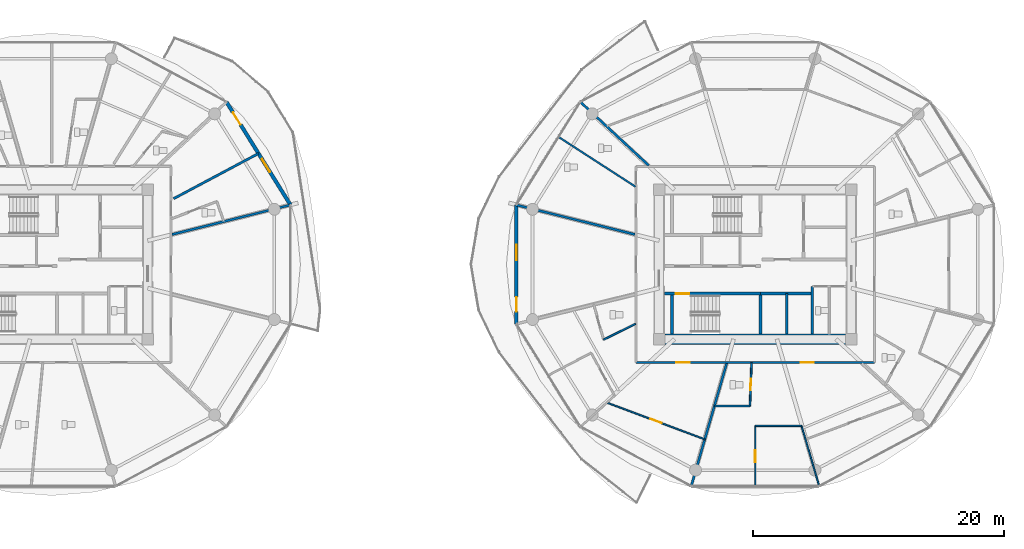
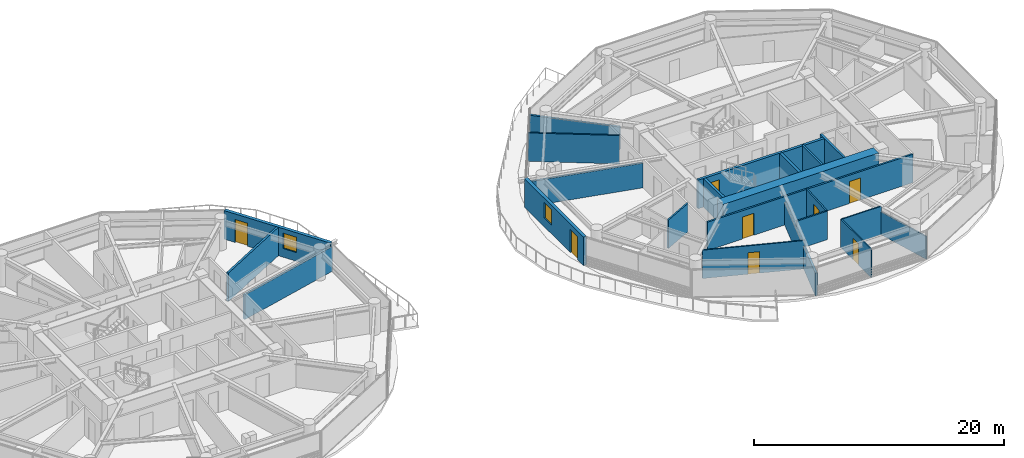
# One storey, part 18 of 26: 23 walls, 8 doors, 2 windows, 10 openings.
"""IFC4 building model written with IfcOpenShell, lengths in metres."""

from ifc_helpers import new_model, si_unit, direction, frame, frame_2d, origin, place, context, subcontext, project, spatial, rectangle, extrude, source, transform, mapped, material, layer, layer_set, type_object, type_shapes, element, fill, save


model = new_model("IFC4")

# Units and contexts
model_context = context("Model", 3, precision=1e-05, world=origin(), true_north=direction((0.0, 1.0)))
body_context = subcontext(model_context, "Body", "Model", "MODEL_VIEW")
ifc_project = project(units=[si_unit("LENGTHUNIT", "METRE"), si_unit("AREAUNIT", "SQUARE_METRE"), si_unit("VOLUMEUNIT", "CUBIC_METRE"), si_unit("PLANEANGLEUNIT", "RADIAN"), si_unit("MASSUNIT", "GRAM", prefix="KILO")], contexts=[model_context])

# Site, building, storey
site_placement = place(None, origin())
site = spatial("IfcSite", under=ifc_project, at=site_placement, CompositionType="ELEMENT")
building_placement = place(site_placement, origin())
building = spatial("IfcBuilding", under=site, at=building_placement, Name="Norrkilde Senior Care Towers", CompositionType="ELEMENT")
storey_placement = place(building_placement, frame((0.0, 0.0, 67.35009765625)))
storey = spatial("IfcBuildingStorey", under=building, at=storey_placement, Name="L20", CompositionType="ELEMENT", Elevation=67.35009765625)

# Wall
ifc_material_1 = material(Name="Concrete C60/75", Category="concrete")
ifc_layer_1 = layer(ifc_material_1, 0.85009765625)
ifc_layer_set_1 = layer_set([ifc_layer_1], Name="Concrete C60/75")
wall_type_1 = type_object("IfcWallType", Name="Core Shear Wall Z1 850", PredefinedType="SHEAR", material=ifc_layer_set_1)
shared_shape_1 = source(origin(), body_context, "Body", "SweptSolid", [
    extrude(rectangle(XDim=14.39990234375, YDim=0.85009765625, at=frame_2d((7.199951171875, 0.0))), origin(), (0.0, 0.0, 1.0), 2.789794921875),
])
type_shapes(wall_type_1, [shared_shape_1])
wall_1_placement = place(storey_placement, frame((35.199951171875, -5.949951171875, 0.0), z_axis=(0.0, 0.0, 1.0), x_axis=(-1.0, 0.0, 0.0)))
element("IfcWall", 1, at=wall_1_placement, inside=storey, type_object=wall_type_1, Name="L20 Core E South Shear Wall", PredefinedType="SHEAR", context=body_context, shape_type="MappedRepresentation", body=[
    mapped(shared_shape_1, transform((0.0, 0.0, 0.0), x_axis=(1.0, 0.0, 0.0), y_axis=(0.0, 1.0, 0.0), z_axis=(0.0, 0.0, 1.0), scale=1.0)),
])

# Wall, openings, door, window
ifc_material_2 = material(Name="Precast concrete C45/55", Category="concrete")
ifc_layer_2 = layer(ifc_material_2, 0.2900390625)
ifc_layer_set_2 = layer_set([ifc_layer_2], Name="Precast concrete C45/55")
wall_type_2 = type_object("IfcWallType", Name="Winter Garden Facade Wall 290", PredefinedType="SOLIDWALL", material=ifc_layer_set_2)
shared_shape_2 = source(origin(), body_context, "Body", "SweptSolid", [
    extrude(rectangle(XDim=9.64892578125, YDim=0.2900390625, at=frame_2d((4.824462890625, 0.0))), origin(), (0.0, 0.0, 1.0), 2.789794921875),
])
wall_2_placement = place(storey_placement, frame((-14.084228515625, 12.926025390625, 0.0), z_axis=(0.0, 0.0, 1.0), x_axis=(0.527909458386, -0.849300655684, 0.0)))
wall_2 = element("IfcWall", 2, at=wall_2_placement, inside=storey, type_object=wall_type_2, Name="L20 Drum W Balcony Access Wall 00", PredefinedType="SOLIDWALL", context=body_context, shape_type="MappedRepresentation", body=[
    mapped(shared_shape_2, transform((0.0, 0.0, 0.0), x_axis=(1.0, 0.0, 0.0), y_axis=(0.0, 1.0, 0.0), z_axis=(0.0, 0.0, 1.0), scale=1.0)),
])
opening_1_placement = place(wall_2_placement, frame((0.97998046875, 0.0, 0.0)))
opening_1 = element("IfcOpeningElement", 3, at=opening_1_placement, cuts=wall_2, Name="Opening D-09", PredefinedType="OPENING", context=body_context, shape_type="SweptSolid", body=[
    extrude(rectangle(XDim=1.14990234375, YDim=2.25, at=frame_2d((0.574951171875, 1.125))), frame((0.0, 0.155029296875, 0.0), z_axis=(0.0, -1.0, 0.0), x_axis=(1.0, 0.0, 0.0)), (0.0, 0.0, 1.0), 0.31005859375),
])
opening_2_placement = place(wall_2_placement, frame((5.3544921875, 0.0, 0.85009765625)))
opening_2 = element("IfcOpeningElement", 4, at=opening_2_placement, cuts=wall_2, Name="Opening WN-07", PredefinedType="OPENING", context=body_context, shape_type="SweptSolid", body=[
    extrude(rectangle(XDim=1.199951171875, YDim=1.5, at=frame_2d((0.60009765625, 0.75))), frame((0.0, 0.155029296875, 0.0), z_axis=(0.0, -1.0, 0.0), x_axis=(1.0, 0.0, 0.0)), (0.0, 0.0, 1.0), 0.31005859375),
])
ifc_material_3 = material(Name="Anodised Aluminium", Category="aluminium")
door_type_1 = type_object("IfcDoorType", Name="Terrace and Balcony Glazed Door 1150x2250", OperationType="NOTDEFINED", PredefinedType="DOOR", material=ifc_material_3)
shared_shape_3 = source(origin(), body_context, "Body", "SweptSolid", [
    extrude(rectangle(XDim=1.14990234375, YDim=2.25, at=frame_2d((0.574951171875, 1.125))), frame((0.0, 0.02490234375, 0.0), z_axis=(0.0, -1.0, 0.0), x_axis=(1.0, 0.0, 0.0)), (0.0, 0.0, 1.0), 0.050048828125),
])
type_shapes(door_type_1, [shared_shape_3])
door_1_placement = place(opening_1_placement, origin())
door_1 = element("IfcDoor", 5, at=door_1_placement, inside=storey, type_object=door_type_1, Name="L20 Drum W Outdoor Terrace Door 00", OperationType="SINGLE_SWING_LEFT", OverallHeight=2.25, OverallWidth=1.14990234375, PredefinedType="DOOR", context=body_context, shape_type="MappedRepresentation", body=[
    mapped(shared_shape_3, transform((0.0, 0.0, 0.0), x_axis=(1.0, 0.0, 0.0), y_axis=(0.0, 1.0, 0.0), z_axis=(0.0, 0.0, 1.0), scale=1.0)),
])
fill(opening_1, door_1)
ifc_material_4 = material(Name="Triple Low-E Insulated Glazing", Category="glass")
window_type = type_object("IfcWindowType", Name="Stairwell Smoke Vent Window 1200x1500", PartitioningType="SINGLE_PANEL", PredefinedType="WINDOW", material=ifc_material_4)
shared_shape_4 = source(origin(), body_context, "Body", "SweptSolid", [
    extrude(rectangle(XDim=1.199951171875, YDim=1.5, at=frame_2d((0.60009765625, 0.75))), frame((0.0, 0.030029296875, 0.0), z_axis=(0.0, -1.0, 0.0), x_axis=(1.0, 0.0, 0.0)), (0.0, 0.0, 1.0), 0.06005859375),
])
type_shapes(window_type, [shared_shape_4])
window_1_placement = place(opening_2_placement, origin())
window_1 = element("IfcWindow", 6, at=window_1_placement, inside=storey, type_object=window_type, Name="L20 Drum W Winter Garden Window 00", OverallHeight=1.5, OverallWidth=1.199951171875, PartitioningType="SINGLE_PANEL", PredefinedType="WINDOW", context=body_context, shape_type="MappedRepresentation", body=[
    mapped(shared_shape_4, transform((0.0, 0.0, 0.0), x_axis=(1.0, 0.0, 0.0), y_axis=(0.0, 1.0, 0.0), z_axis=(0.0, 0.0, 1.0), scale=1.0)),
])
fill(opening_2, window_1)

shared_shape_5 = source(origin(), body_context, "Body", "SweptSolid", [
    extrude(rectangle(XDim=9.46240234375, YDim=0.2900390625, at=frame_2d((4.731201171875, 0.0))), origin(), (0.0, 0.0, 1.0), 2.789794921875),
])
type_shapes(wall_type_2, [shared_shape_2, shared_shape_5])
wall_3_placement = place(storey_placement, frame((8.990478515625, -4.731201171875, 0.0), z_axis=(0.0, 0.0, 1.0), x_axis=(0.0, 1.0, 0.0)))
wall_3 = element("IfcWall", 7, at=wall_3_placement, inside=storey, type_object=wall_type_2, Name="L20 Drum E Balcony Access Wall 05", PredefinedType="SOLIDWALL", context=body_context, shape_type="MappedRepresentation", body=[
    mapped(shared_shape_5, transform((0.0, 0.0, 0.0), x_axis=(1.0, 0.0, 0.0), y_axis=(0.0, 1.0, 0.0), z_axis=(0.0, 0.0, 1.0), scale=1.0)),
])
opening_3_placement = place(wall_3_placement, frame((0.97998046875, 0.0, 0.0)))
opening_3 = element("IfcOpeningElement", 8, at=opening_3_placement, cuts=wall_3, Name="Opening D-09", PredefinedType="OPENING", context=body_context, shape_type="SweptSolid", body=[
    extrude(rectangle(XDim=1.14990234375, YDim=2.25, at=frame_2d((0.574951171875, 1.125))), frame((0.0, 0.155029296875, 0.0), z_axis=(0.0, -1.0, 0.0), x_axis=(1.0, 0.0, 0.0)), (0.0, 0.0, 1.0), 0.31005859375),
])
opening_4_placement = place(wall_3_placement, frame((5.081298828125, 0.0, 0.85009765625)))
opening_4 = element("IfcOpeningElement", 9, at=opening_4_placement, cuts=wall_3, Name="Opening WN-07", PredefinedType="OPENING", context=body_context, shape_type="SweptSolid", body=[
    extrude(rectangle(XDim=1.199951171875, YDim=1.5, at=frame_2d((0.60009765625, 0.75))), frame((0.0, 0.155029296875, 0.0), z_axis=(0.0, -1.0, 0.0), x_axis=(1.0, 0.0, 0.0)), (0.0, 0.0, 1.0), 0.31005859375),
])
door_2_placement = place(opening_3_placement, origin())
door_2 = element("IfcDoor", 10, at=door_2_placement, inside=storey, type_object=door_type_1, Name="L20 Drum E Outdoor Terrace Door 05", OperationType="SINGLE_SWING_RIGHT", OverallHeight=2.25, OverallWidth=1.14990234375, PredefinedType="DOOR", context=body_context, shape_type="MappedRepresentation", body=[
    mapped(shared_shape_3, transform((0.0, 0.0, 0.0), x_axis=(1.0, 0.0, 0.0), y_axis=(0.0, 1.0, 0.0), z_axis=(0.0, 0.0, 1.0), scale=1.0)),
])
fill(opening_3, door_2)
window_2_placement = place(opening_4_placement, origin())
window_2 = element("IfcWindow", 11, at=window_2_placement, inside=storey, type_object=window_type, Name="L20 Drum E Winter Garden Window 05", OverallHeight=1.5, OverallWidth=1.199951171875, PartitioningType="SINGLE_PANEL", PredefinedType="WINDOW", context=body_context, shape_type="MappedRepresentation", body=[
    mapped(shared_shape_4, transform((0.0, 0.0, 0.0), x_axis=(1.0, 0.0, 0.0), y_axis=(0.0, 1.0, 0.0), z_axis=(0.0, 0.0, 1.0), scale=1.0)),
])
fill(opening_4, window_2)

# Wall, opening, door
ifc_material_5 = material(Name="Concrete C45/55", Category="concrete")
ifc_layer_3 = layer(ifc_material_5, 0.239990234375)
ifc_layer_set_3 = layer_set([ifc_layer_3], Name="Concrete C45/55")
wall_type_3 = type_object("IfcWallType", Name="Shaft and Stair Enclosure Wall 240", PredefinedType="PARTITIONING", material=ifc_layer_set_3)
shared_shape_6 = source(origin(), body_context, "Body", "SweptSolid", [
    extrude(rectangle(XDim=7.76513671875, YDim=0.239990234375, at=frame_2d((3.882568359375, 0.0))), origin(), (0.0, 0.0, 1.0), 2.789794921875),
])
wall_4_placement = place(storey_placement, frame((20.77490234375, -2.330078125, 0.0), z_axis=(0.0, 0.0, 1.0), x_axis=(1.0, 0.0, 0.0)))
wall_4 = element("IfcWall", 12, at=wall_4_placement, inside=storey, type_object=wall_type_3, Name="WL-INT-L20-E-ST2N", PredefinedType="PARTITIONING", context=body_context, shape_type="MappedRepresentation", body=[
    mapped(shared_shape_6, transform((0.0, 0.0, 0.0), x_axis=(1.0, 0.0, 0.0), y_axis=(0.0, 1.0, 0.0), z_axis=(0.0, 0.0, 1.0), scale=1.0)),
])
opening_5_placement = place(wall_4_placement, frame((0.885009765625, 0.0, 0.0)))
opening_5 = element("IfcOpeningElement", 13, at=opening_5_placement, cuts=wall_4, Name="Opening D-03", PredefinedType="OPENING", context=body_context, shape_type="SweptSolid", body=[
    extrude(rectangle(XDim=1.10009765625, YDim=2.14990234375, at=frame_2d((0.550048828125, 1.074951171875))), frame((0.0, 0.1298828125, 0.0), z_axis=(0.0, -1.0, 0.0), x_axis=(1.0, 0.0, 0.0)), (0.0, 0.0, 1.0), 0.260009765625),
])
ifc_material_6 = material(Name="Galvanised Painted Steel", Category="steel")
door_type_2 = type_object("IfcDoorType", Name="Stairwell Protected Fire Door 1100x2150", OperationType="NOTDEFINED", PredefinedType="DOOR", material=ifc_material_6)
shared_shape_7 = source(origin(), body_context, "Body", "SweptSolid", [
    extrude(rectangle(XDim=1.10009765625, YDim=2.14990234375, at=frame_2d((0.550048828125, 1.074951171875))), frame((0.0, 0.02490234375, 0.0), z_axis=(0.0, -1.0, 0.0), x_axis=(1.0, 0.0, 0.0)), (0.0, 0.0, 1.0), 0.050048828125),
])
type_shapes(door_type_2, [shared_shape_7])
door_3_placement = place(opening_5_placement, frame((1.10009765625, 0.0, 0.0), z_axis=(0.0, 0.0, 1.0), x_axis=(-1.0, 0.0, 0.0)))
door_3 = element("IfcDoor", 14, at=door_3_placement, inside=storey, type_object=door_type_2, Name="L20 Stair E2 Fire Door", OperationType="SINGLE_SWING_RIGHT", OverallHeight=2.14990234375, OverallWidth=1.10009765625, PredefinedType="DOOR", context=body_context, shape_type="MappedRepresentation", body=[
    mapped(shared_shape_7, transform((0.0, 0.0, 0.0), x_axis=(1.0, 0.0, 0.0), y_axis=(0.0, 1.0, 0.0), z_axis=(0.0, 0.0, 1.0), scale=1.0)),
])
fill(opening_5, door_3)

# Walls
shared_shape_8 = source(origin(), body_context, "Body", "SweptSolid", [
    extrude(rectangle(XDim=3.074951171875, YDim=0.239990234375, at=frame_2d((1.53759765625, 0.0))), origin(), (0.0, 0.0, 1.0), 2.789794921875),
])
type_shapes(wall_type_3, [shared_shape_6, shared_shape_8])
for number, where, z_axis, x_axis, name in (
    (15, (21.3798828125, -5.52490234375, 0.0), (0.0, 0.0, 1.0), (0.0, 1.0, 0.0), "WL-INT-L20-E-ST2W"),
    (16, (28.419921875, -5.52490234375, 0.0), (0.0, 0.0, 1.0), (0.0, 1.0, 0.0), "WL-INT-L20-E-ST2E"),
):
    element("IfcWall", number, at=place(storey_placement, frame(where, z_axis=z_axis, x_axis=x_axis)), inside=storey, type_object=wall_type_3, Name=name, PredefinedType="PARTITIONING", context=body_context, shape_type="MappedRepresentation", body=[
        mapped(shared_shape_8, transform((0.0, 0.0, 0.0), x_axis=(1.0, 0.0, 0.0), y_axis=(0.0, 1.0, 0.0), z_axis=(0.0, 0.0, 1.0), scale=1.0)),
    ])
ifc_layer_4 = layer(ifc_material_5, 0.199951171875)
ifc_layer_set_4 = layer_set([ifc_layer_4], Name="Concrete C45/55")
wall_type_4 = type_object("IfcWallType", Name="Shaft Division and Plant Partition 200", PredefinedType="PARTITIONING", material=ifc_layer_set_4)
shared_shape_9 = source(origin(), body_context, "Body", "SweptSolid", [
    extrude(rectangle(XDim=3.800048828125, YDim=0.199951171875, at=frame_2d((1.89990234375, 0.0))), origin(), (0.0, 0.0, 1.0), 2.77490234375),
])
type_shapes(wall_type_4, [shared_shape_9])
wall_5_placement = place(storey_placement, frame((32.550048828125, -5.550048828125, 0.0), z_axis=(0.0, 0.0, 1.0), x_axis=(0.0, 1.0, 0.0)))
element("IfcWall", 17, at=wall_5_placement, inside=storey, type_object=wall_type_4, Name="WL-INT-L20-E-PKBE", PredefinedType="PARTITIONING", context=body_context, shape_type="MappedRepresentation", body=[
    mapped(shared_shape_9, transform((0.0, 0.0, 0.0), x_axis=(1.0, 0.0, 0.0), y_axis=(0.0, 1.0, 0.0), z_axis=(0.0, 0.0, 1.0), scale=1.0)),
])
ifc_layer_5 = layer(ifc_material_5, 0.239990234375)
ifc_layer_set_5 = layer_set([ifc_layer_5], Name="Concrete C45/55")
wall_type_5 = type_object("IfcWallType", Name="Lift and Plant Rated Enclosure Partition 240", PredefinedType="PARTITIONING", material=ifc_layer_set_5)
shared_shape_10 = source(origin(), body_context, "Body", "SweptSolid", [
    extrude(rectangle(XDim=4.130126953125, YDim=0.239990234375, at=frame_2d((2.06494140625, 0.0))), origin(), (0.0, 0.0, 1.0), 2.77490234375),
])
type_shapes(wall_type_5, [shared_shape_10])
wall_6_placement = place(storey_placement, frame((28.419921875, -2.330078125, 0.0), z_axis=(0.0, 0.0, 1.0), x_axis=(1.0, 0.0, 0.0)))
element("IfcWall", 18, at=wall_6_placement, inside=storey, type_object=wall_type_5, Name="WL-INT-L20-E-PKBN", PredefinedType="PARTITIONING", context=body_context, shape_type="MappedRepresentation", body=[
    mapped(shared_shape_10, transform((0.0, 0.0, 0.0), x_axis=(1.0, 0.0, 0.0), y_axis=(0.0, 1.0, 0.0), z_axis=(0.0, 0.0, 1.0), scale=1.0)),
])
ifc_layer_6 = layer(ifc_material_5, 0.179931640625)
ifc_layer_set_6 = layer_set([ifc_layer_6], Name="Concrete C45/55")
wall_type_6 = type_object("IfcWallType", Name="Hoistway Division Rated Partition 180", PredefinedType="PARTITIONING", material=ifc_layer_set_6)
shared_shape_11 = source(origin(), body_context, "Body", "SweptSolid", [
    extrude(rectangle(XDim=3.219970703125, YDim=0.179931640625, at=frame_2d((1.60986328125, 0.0))), origin(), (0.0, 0.0, 1.0), 2.77490234375),
])
type_shapes(wall_type_6, [shared_shape_11])
wall_7_placement = place(storey_placement, frame((30.5, -5.550048828125, 0.0), z_axis=(0.0, 0.0, 1.0), x_axis=(0.0, 1.0, 0.0)))
element("IfcWall", 19, at=wall_7_placement, inside=storey, type_object=wall_type_6, Name="WL-INT-L20-E-PL34", PredefinedType="PARTITIONING", context=body_context, shape_type="MappedRepresentation", body=[
    mapped(shared_shape_11, transform((0.0, 0.0, 0.0), x_axis=(1.0, 0.0, 0.0), y_axis=(0.0, 1.0, 0.0), z_axis=(0.0, 0.0, 1.0), scale=1.0)),
])

# Wall, openings, doors
ifc_material_7 = material(Name="Gypsum Acoustic Board")
ifc_layer_7 = layer(ifc_material_7, 0.1650390625)
ifc_layer_set_7 = layer_set([ifc_layer_7], Name="Gypsum Acoustic Board")
wall_type_7 = type_object("IfcWallType", Name="Corridor Rated Partition 165", PredefinedType="PARTITIONING", material=ifc_layer_set_7)
shared_shape_12 = source(origin(), body_context, "Body", "SweptSolid", [
    extrude(rectangle(XDim=19.0, YDim=0.1650390625, at=frame_2d((9.5, 0.0))), origin(), (0.0, 0.0, 1.0), 2.77490234375),
])
type_shapes(wall_type_7, [shared_shape_12])
wall_8_placement = place(storey_placement, frame((37.5, -7.800048828125, 0.0), z_axis=(0.0, 0.0, 1.0), x_axis=(-1.0, 0.0, 0.0)))
wall_8 = element("IfcWall", 20, at=wall_8_placement, inside=storey, type_object=wall_type_7, Name="WL-INT-L20-E-CRW-S-0", PredefinedType="PARTITIONING", context=body_context, shape_type="MappedRepresentation", body=[
    mapped(shared_shape_12, transform((0.0, 0.0, 0.0), x_axis=(1.0, 0.0, 0.0), y_axis=(0.0, 1.0, 0.0), z_axis=(0.0, 0.0, 1.0), scale=1.0)),
])
opening_6_placement = place(wall_8_placement, frame((14.7197265625, 0.0, 0.0)))
opening_6 = element("IfcOpeningElement", 21, at=opening_6_placement, cuts=wall_8, Name="Opening D-06", PredefinedType="OPENING", context=body_context, shape_type="SweptSolid", body=[
    extrude(rectangle(XDim=1.050048828125, YDim=2.14990234375, at=frame_2d((0.52490234375, 1.074951171875))), frame((0.0, 0.092529296875, 0.0), z_axis=(0.0, -1.0, 0.0), x_axis=(1.0, 0.0, 0.0)), (0.0, 0.0, 1.0), 0.18505859375),
])
opening_7_placement = place(wall_8_placement, frame((4.8466796875, 0.0, 0.0)))
opening_7 = element("IfcOpeningElement", 22, at=opening_7_placement, cuts=wall_8, Name="Opening D-06", PredefinedType="OPENING", context=body_context, shape_type="SweptSolid", body=[
    extrude(rectangle(XDim=1.050048828125, YDim=2.14990234375, at=frame_2d((0.52490234375, 1.074951171875))), frame((0.0, 0.092529296875, 0.0), z_axis=(0.0, -1.0, 0.0), x_axis=(1.0, 0.0, 0.0)), (0.0, 0.0, 1.0), 0.18505859375),
])
ifc_material_8 = material(Name="Nordic Ash Timber", Category="wood")
door_type_3 = type_object("IfcDoorType", Name="Apartment Entrance Fire Door 1050x2150", OperationType="NOTDEFINED", PredefinedType="DOOR", material=ifc_material_8)
shared_shape_13 = source(origin(), body_context, "Body", "SweptSolid", [
    extrude(rectangle(XDim=1.050048828125, YDim=2.14990234375, at=frame_2d((0.52490234375, 1.074951171875))), frame((0.0, 0.02490234375, 0.0), z_axis=(0.0, -1.0, 0.0), x_axis=(1.0, 0.0, 0.0)), (0.0, 0.0, 1.0), 0.050048828125),
])
type_shapes(door_type_3, [shared_shape_13])
door_4_placement = place(opening_6_placement, frame((1.050048828125, 0.0, 0.0), z_axis=(0.0, 0.0, 1.0), x_axis=(-1.0, 0.0, 0.0)))
door_4 = element("IfcDoor", 23, at=door_4_placement, inside=storey, type_object=door_type_3, Name="Apartment 20A Entrance Door", OperationType="SINGLE_SWING_LEFT", OverallHeight=2.14990234375, OverallWidth=1.050048828125, PredefinedType="DOOR", context=body_context, shape_type="MappedRepresentation", body=[
    mapped(shared_shape_13, transform((0.0, 0.0, 0.0), x_axis=(1.0, 0.0, 0.0), y_axis=(0.0, 1.0, 0.0), z_axis=(0.0, 0.0, 1.0), scale=1.0)),
])
fill(opening_6, door_4)
door_5_placement = place(opening_7_placement, frame((1.050048828125, 0.0, 0.0), z_axis=(0.0, 0.0, 1.0), x_axis=(-1.0, 0.0, 0.0)))
door_5 = element("IfcDoor", 24, at=door_5_placement, inside=storey, type_object=door_type_3, Name="Apartment 20B Entrance Door", OperationType="SINGLE_SWING_LEFT", OverallHeight=2.14990234375, OverallWidth=1.050048828125, PredefinedType="DOOR", context=body_context, shape_type="MappedRepresentation", body=[
    mapped(shared_shape_13, transform((0.0, 0.0, 0.0), x_axis=(1.0, 0.0, 0.0), y_axis=(0.0, 1.0, 0.0), z_axis=(0.0, 0.0, 1.0), scale=1.0)),
])
fill(opening_7, door_5)

# Walls
ifc_layer_8 = layer(ifc_material_7, 0.18994140625)
ifc_layer_set_8 = layer_set([ifc_layer_8], Name="Gypsum Acoustic Board")
wall_type_8 = type_object("IfcWallType", Name="Unit Demising Acoustic Wall 190", PredefinedType="PARTITIONING", material=ifc_layer_set_8)
shared_shape_14 = source(origin(), body_context, "Body", "SweptSolid", [
    extrude(rectangle(XDim=7.4345703125, YDim=0.18994140625, at=frame_2d((3.71728515625, 0.0))), origin(), (0.0, 0.0, 1.0), 2.224853515625),
])
wall_9_placement = place(storey_placement, frame((19.51708984375, 7.8798828125, 0.0), z_axis=(0.0, 0.0, 1.0), x_axis=(-0.732651956848, 0.680603489652, 0.0)))
element("IfcWall", 25, at=wall_9_placement, inside=storey, type_object=wall_type_8, Name="WL-INT-L20-E-DEM-04-0", PredefinedType="PARTITIONING", context=body_context, shape_type="MappedRepresentation", body=[
    mapped(shared_shape_14, transform((0.0, 0.0, 0.0), x_axis=(1.0, 0.0, 0.0), y_axis=(0.0, 1.0, 0.0), z_axis=(0.0, 0.0, 1.0), scale=1.0)),
])
shared_shape_15 = source(origin(), body_context, "Body", "SweptSolid", [
    extrude(rectangle(XDim=10.196044921875, YDim=0.18994140625, at=frame_2d((5.09814453125, 0.0))), origin(), (0.0, 0.0, 1.0), 2.224853515625),
])
wall_10_placement = place(storey_placement, frame((25.72705078125, -7.8798828125, 0.0), z_axis=(0.0, 0.0, 1.0), x_axis=(-0.277136420347, -0.960830580549, 0.0)))
element("IfcWall", 26, at=wall_10_placement, inside=storey, type_object=wall_type_8, Name="WL-INT-L20-E-DEM-08-0", PredefinedType="PARTITIONING", context=body_context, shape_type="MappedRepresentation", body=[
    mapped(shared_shape_15, transform((0.0, 0.0, 0.0), x_axis=(1.0, 0.0, 0.0), y_axis=(0.0, 1.0, 0.0), z_axis=(0.0, 0.0, 1.0), scale=1.0)),
])
shared_shape_16 = source(origin(), body_context, "Body", "SweptSolid", [
    extrude(rectangle(XDim=7.6767578125, YDim=0.18994140625, at=frame_2d((3.83837890625, 0.0))), origin(), (0.0, 0.0, 1.0), 2.77490234375),
])
wall_11_placement = place(storey_placement, frame((-18.296875, 5.23095703125, 0.0), z_axis=(0.0, 0.0, 1.0), x_axis=(0.882725057546, 0.469889851753, 0.0)))
element("IfcWall", 27, at=wall_11_placement, inside=storey, type_object=wall_type_8, Name="WL-INT-L20-W-CMID-00", PredefinedType="PARTITIONING", context=body_context, shape_type="MappedRepresentation", body=[
    mapped(shared_shape_16, transform((0.0, 0.0, 0.0), x_axis=(1.0, 0.0, 0.0), y_axis=(0.0, 1.0, 0.0), z_axis=(0.0, 0.0, 1.0), scale=1.0)),
])

# Wall, opening, door
ifc_layer_9 = layer(ifc_material_7, 0.114990234375)
ifc_layer_set_9 = layer_set([ifc_layer_9], Name="Gypsum Acoustic Board")
wall_type_9 = type_object("IfcWallType", Name="Internal Room Partition 115", PredefinedType="PARTITIONING", material=ifc_layer_set_9)
shared_shape_17 = source(origin(), body_context, "Body", "SweptSolid", [
    extrude(rectangle(XDim=8.31982421875, YDim=0.114990234375, at=frame_2d((4.159912109375, 0.0))), origin(), (0.0, 0.0, 1.0), 2.77490234375),
])
wall_12_placement = place(storey_placement, frame((16.2138671875, -11.005615234375, 0.0), z_axis=(0.0, 0.0, 1.0), x_axis=(0.936180763098, -0.351518959382, 0.0)))
wall_12 = element("IfcWall", 28, at=wall_12_placement, inside=storey, type_object=wall_type_9, Name="WL-INT-L20-E-UBC-06-1", PredefinedType="PARTITIONING", context=body_context, shape_type="MappedRepresentation", body=[
    mapped(shared_shape_17, transform((0.0, 0.0, 0.0), x_axis=(1.0, 0.0, 0.0), y_axis=(0.0, 1.0, 0.0), z_axis=(0.0, 0.0, 1.0), scale=1.0)),
])
opening_8_placement = place(wall_12_placement, frame((3.684814453125, 0.0, 0.0)))
opening_8 = element("IfcOpeningElement", 29, at=opening_8_placement, cuts=wall_12, Name="Opening D-07", PredefinedType="OPENING", context=body_context, shape_type="SweptSolid", body=[
    extrude(rectangle(XDim=0.949951171875, YDim=2.10009765625, at=frame_2d((0.47509765625, 1.050048828125))), frame((0.0, 0.0673828125, 0.0), z_axis=(0.0, -1.0, 0.0), x_axis=(1.0, 0.0, 0.0)), (0.0, 0.0, 1.0), 0.135009765625),
])
door_type_4 = type_object("IfcDoorType", Name="Internal Suite Bedroom Door 950x2100", OperationType="NOTDEFINED", PredefinedType="DOOR", material=ifc_material_8)
shared_shape_18 = source(origin(), body_context, "Body", "SweptSolid", [
    extrude(rectangle(XDim=0.949951171875, YDim=2.10009765625, at=frame_2d((0.47509765625, 1.050048828125))), frame((0.0, 0.02490234375, 0.0), z_axis=(0.0, -1.0, 0.0), x_axis=(1.0, 0.0, 0.0)), (0.0, 0.0, 1.0), 0.050048828125),
])
type_shapes(door_type_4, [shared_shape_18])
door_6_placement = place(opening_8_placement, origin())
door_6 = element("IfcDoor", 30, at=door_6_placement, inside=storey, type_object=door_type_4, Name="Apartment 20A Bedroom 1 Door", OperationType="SINGLE_SWING_RIGHT", OverallHeight=2.10009765625, OverallWidth=0.949951171875, PredefinedType="DOOR", context=body_context, shape_type="MappedRepresentation", body=[
    mapped(shared_shape_18, transform((0.0, 0.0, 0.0), x_axis=(1.0, 0.0, 0.0), y_axis=(0.0, 1.0, 0.0), z_axis=(0.0, 0.0, 1.0), scale=1.0)),
])
fill(opening_8, door_6)

# Walls
ifc_layer_10 = layer(ifc_material_7, 0.139892578125)
ifc_layer_set_10 = layer_set([ifc_layer_10], Name="Gypsum Acoustic Board")
wall_type_10 = type_object("IfcWallType", Name="En-suite Wet Room Wall 140", PredefinedType="PARTITIONING", material=ifc_layer_set_10)
shared_shape_19 = source(origin(), body_context, "Body", "SweptSolid", [
    extrude(rectangle(XDim=7.30419921875, YDim=0.139892578125, at=frame_2d((3.652099609375, 0.0))), origin(), (0.0, 0.0, 1.0), 2.77490234375),
])
wall_13_placement = place(storey_placement, frame((18.469970703125, 6.184814453125, 0.0), z_axis=(0.0, 0.0, 1.0), x_axis=(-0.83973870965, 0.54299069929, 0.0)))
element("IfcWall", 31, at=wall_13_placement, inside=storey, type_object=wall_type_10, Name="WL-INT-L20-E-MID-04", PredefinedType="PARTITIONING", context=body_context, shape_type="MappedRepresentation", body=[
    mapped(shared_shape_19, transform((0.0, 0.0, 0.0), x_axis=(1.0, 0.0, 0.0), y_axis=(0.0, 1.0, 0.0), z_axis=(0.0, 0.0, 1.0), scale=1.0)),
])
shared_shape_20 = source(origin(), body_context, "Body", "SweptSolid", [
    extrude(rectangle(XDim=2.83447265625, YDim=0.139892578125, at=frame_2d((1.417236328125, 0.0))), origin(), (0.0, 0.0, 1.0), 2.77490234375),
])
wall_14_placement = place(storey_placement, frame((18.469970703125, -4.731689453125, 0.0), z_axis=(0.0, 0.0, 1.0), x_axis=(-0.895681174462, -0.444696788513, 0.0)))
element("IfcWall", 32, at=wall_14_placement, inside=storey, type_object=wall_type_10, Name="WL-INT-L20-E-UBTS-06", PredefinedType="PARTITIONING", context=body_context, shape_type="MappedRepresentation", body=[
    mapped(shared_shape_20, transform((0.0, 0.0, 0.0), x_axis=(1.0, 0.0, 0.0), y_axis=(0.0, 1.0, 0.0), z_axis=(0.0, 0.0, 1.0), scale=1.0)),
])
shared_shape_21 = source(origin(), body_context, "Body", "SweptSolid", [
    extrude(rectangle(XDim=9.737060546875, YDim=0.18994140625, at=frame_2d((4.86865234375, 0.0))), origin(), (0.0, 0.0, 1.0), 2.414794921875),
])
type_shapes(wall_type_8, [shared_shape_14, shared_shape_15, shared_shape_16, shared_shape_21])
for number, where, z_axis, x_axis, name in (
    (33, (-18.419921875, 2.384521484375, 0.0), (0.0, 0.0, 1.0), (0.970392716238, 0.241532557375, 0.0), "WL-INT-L20-W-DEM-00-0"),
    (34, (18.419921875, 2.384521484375, 0.0), (0.0, 0.0, 1.0), (-0.970392716238, 0.241532557375, 0.0), "WL-INT-L20-E-DEM-05-0"),
):
    element("IfcWall", number, at=place(storey_placement, frame(where, z_axis=z_axis, x_axis=x_axis)), inside=storey, type_object=wall_type_8, Name=name, PredefinedType="PARTITIONING", context=body_context, shape_type="MappedRepresentation", body=[
        mapped(shared_shape_21, transform((0.0, 0.0, 0.0), x_axis=(1.0, 0.0, 0.0), y_axis=(0.0, 1.0, 0.0), z_axis=(0.0, 0.0, 1.0), scale=1.0)),
    ])
shared_shape_22 = source(origin(), body_context, "Body", "SweptSolid", [
    extrude(rectangle(XDim=5.030517578125, YDim=0.114990234375, at=frame_2d((2.51513671875, 0.0))), origin(), (0.0, 0.0, 1.0), 2.224853515625),
])
wall_15_placement = place(storey_placement, frame((31.686767578125, -12.84814453125, 0.0), z_axis=(0.0, 0.0, 1.0), x_axis=(0.280657788738, -0.959807900374, 0.0)))
element("IfcWall", 35, at=wall_15_placement, inside=storey, type_object=wall_type_9, Name="WL-INT-L20-E-UBR-08-1", PredefinedType="PARTITIONING", context=body_context, shape_type="MappedRepresentation", body=[
    mapped(shared_shape_22, transform((0.0, 0.0, 0.0), x_axis=(1.0, 0.0, 0.0), y_axis=(0.0, 1.0, 0.0), z_axis=(0.0, 0.0, 1.0), scale=1.0)),
])

# Wall, opening, door
shared_shape_23 = source(origin(), body_context, "Body", "SweptSolid", [
    extrude(rectangle(XDim=3.44580078125, YDim=0.139892578125, at=frame_2d((1.722900390625, 0.0))), origin(), (0.0, 0.0, 1.0), 2.77490234375),
])
wall_16_placement = place(storey_placement, frame((27.707275390625, -7.830078125, 0.0), z_axis=(0.0, 0.0, 1.0), x_axis=(-0.037409983043, -0.999300001585, 0.0)))
wall_16 = element("IfcWall", 36, at=wall_16_placement, inside=storey, type_object=wall_type_10, Name="WL-INT-L20-E-UBTS-08", PredefinedType="PARTITIONING", context=body_context, shape_type="MappedRepresentation", body=[
    mapped(shared_shape_23, transform((0.0, 0.0, 0.0), x_axis=(1.0, 0.0, 0.0), y_axis=(0.0, 1.0, 0.0), z_axis=(0.0, 0.0, 1.0), scale=1.0)),
])
opening_9_placement = place(wall_16_placement, frame((1.262939453125, 0.0, 0.0)))
opening_9 = element("IfcOpeningElement", 37, at=opening_9_placement, cuts=wall_16, Name="Opening D-08", PredefinedType="OPENING", context=body_context, shape_type="SweptSolid", body=[
    extrude(rectangle(XDim=0.919921875, YDim=2.10009765625, at=frame_2d((0.4599609375, 1.050048828125))), frame((0.0, 0.079833984375, 0.0), z_axis=(0.0, -1.0, 0.0), x_axis=(1.0, 0.0, 0.0)), (0.0, 0.0, 1.0), 0.159912109375),
])
door_type_5 = type_object("IfcDoorType", Name="Accessible Wet Room Door 920x2100", OperationType="NOTDEFINED", PredefinedType="DOOR", material=ifc_material_8)
shared_shape_24 = source(origin(), body_context, "Body", "SweptSolid", [
    extrude(rectangle(XDim=0.919921875, YDim=2.10009765625, at=frame_2d((0.4599609375, 1.050048828125))), frame((0.0, 0.02490234375, 0.0), z_axis=(0.0, -1.0, 0.0), x_axis=(1.0, 0.0, 0.0)), (0.0, 0.0, 1.0), 0.050048828125),
])
type_shapes(door_type_5, [shared_shape_24])
door_7_placement = place(opening_9_placement, origin())
door_7 = element("IfcDoor", 38, at=door_7_placement, inside=storey, type_object=door_type_5, Name="Apartment 20B Bathroom Door", OperationType="SINGLE_SWING_RIGHT", OverallHeight=2.10009765625, OverallWidth=0.919921875, PredefinedType="DOOR", context=body_context, shape_type="MappedRepresentation", body=[
    mapped(shared_shape_24, transform((0.0, 0.0, 0.0), x_axis=(1.0, 0.0, 0.0), y_axis=(0.0, 1.0, 0.0), z_axis=(0.0, 0.0, 1.0), scale=1.0)),
])
fill(opening_9, door_7)

# Wall
shared_shape_25 = source(origin(), body_context, "Body", "SweptSolid", [
    extrude(rectangle(XDim=2.812744140625, YDim=0.139892578125, at=frame_2d((1.40625, 0.0))), origin(), (0.0, 0.0, 1.0), 2.77490234375),
])
type_shapes(wall_type_10, [shared_shape_19, shared_shape_20, shared_shape_23, shared_shape_25])
wall_17_placement = place(storey_placement, frame((27.578369140625, -11.2734375, 0.0), z_axis=(0.0, 0.0, 1.0), x_axis=(-0.99999981542, 0.000607586035, 0.0)))
element("IfcWall", 39, at=wall_17_placement, inside=storey, type_object=wall_type_10, Name="WL-INT-L20-E-UBTF-08", PredefinedType="PARTITIONING", context=body_context, shape_type="MappedRepresentation", body=[
    mapped(shared_shape_25, transform((0.0, 0.0, 0.0), x_axis=(1.0, 0.0, 0.0), y_axis=(0.0, 1.0, 0.0), z_axis=(0.0, 0.0, 1.0), scale=1.0)),
])

# Wall, opening, door
shared_shape_26 = source(origin(), body_context, "Body", "SweptSolid", [
    extrude(rectangle(XDim=4.828857421875, YDim=0.114990234375, at=frame_2d((2.41455078125, 0.0))), origin(), (0.0, 0.0, 1.0), 2.77490234375),
])
wall_18_placement = place(storey_placement, frame((28.0, -12.84765625, 0.0), z_axis=(0.0, 0.0, 1.0), x_axis=(0.0, -1.0, 0.0)))
wall_18 = element("IfcWall", 40, at=wall_18_placement, inside=storey, type_object=wall_type_9, Name="WL-INT-L20-E-UKTS-08", PredefinedType="PARTITIONING", context=body_context, shape_type="MappedRepresentation", body=[
    mapped(shared_shape_26, transform((0.0, 0.0, 0.0), x_axis=(1.0, 0.0, 0.0), y_axis=(0.0, 1.0, 0.0), z_axis=(0.0, 0.0, 1.0), scale=1.0)),
])
opening_10_placement = place(wall_18_placement, frame((1.939453125, 0.0, 0.0)))
opening_10 = element("IfcOpeningElement", 41, at=opening_10_placement, cuts=wall_18, Name="Opening D-07", PredefinedType="OPENING", context=body_context, shape_type="SweptSolid", body=[
    extrude(rectangle(XDim=0.949951171875, YDim=2.10009765625, at=frame_2d((0.47509765625, 1.050048828125))), frame((0.0, 0.0673828125, 0.0), z_axis=(0.0, -1.0, 0.0), x_axis=(1.0, 0.0, 0.0)), (0.0, 0.0, 1.0), 0.135009765625),
])
door_8_placement = place(opening_10_placement, frame((0.949951171875, 0.0, 0.0), z_axis=(0.0, 0.0, 1.0), x_axis=(-1.0, 0.0, 0.0)))
door_8 = element("IfcDoor", 42, at=door_8_placement, inside=storey, type_object=door_type_4, Name="Apartment 20B Kitchen Door", OperationType="SINGLE_SWING_LEFT", OverallHeight=2.10009765625, OverallWidth=0.949951171875, PredefinedType="DOOR", context=body_context, shape_type="MappedRepresentation", body=[
    mapped(shared_shape_18, transform((0.0, 0.0, 0.0), x_axis=(1.0, 0.0, 0.0), y_axis=(0.0, 1.0, 0.0), z_axis=(0.0, 0.0, 1.0), scale=1.0)),
])
fill(opening_10, door_8)

# Wall
shared_shape_27 = source(origin(), body_context, "Body", "SweptSolid", [
    extrude(rectangle(XDim=3.68603515625, YDim=0.114990234375, at=frame_2d((1.843017578125, 0.0))), origin(), (0.0, 0.0, 1.0), 2.77490234375),
])
type_shapes(wall_type_9, [shared_shape_17, shared_shape_22, shared_shape_26, shared_shape_27])
wall_19_placement = place(storey_placement, frame((28.0, -12.84765625, 0.0), z_axis=(0.0, 0.0, 1.0), x_axis=(0.999999780653, 0.000662339237, 0.0)))
element("IfcWall", 43, at=wall_19_placement, inside=storey, type_object=wall_type_9, Name="WL-INT-L20-E-UKTF-08", PredefinedType="PARTITIONING", context=body_context, shape_type="MappedRepresentation", body=[
    mapped(shared_shape_27, transform((0.0, 0.0, 0.0), x_axis=(1.0, 0.0, 0.0), y_axis=(0.0, 1.0, 0.0), z_axis=(0.0, 0.0, 1.0), scale=1.0)),
])

save(model, "model.ifc")
